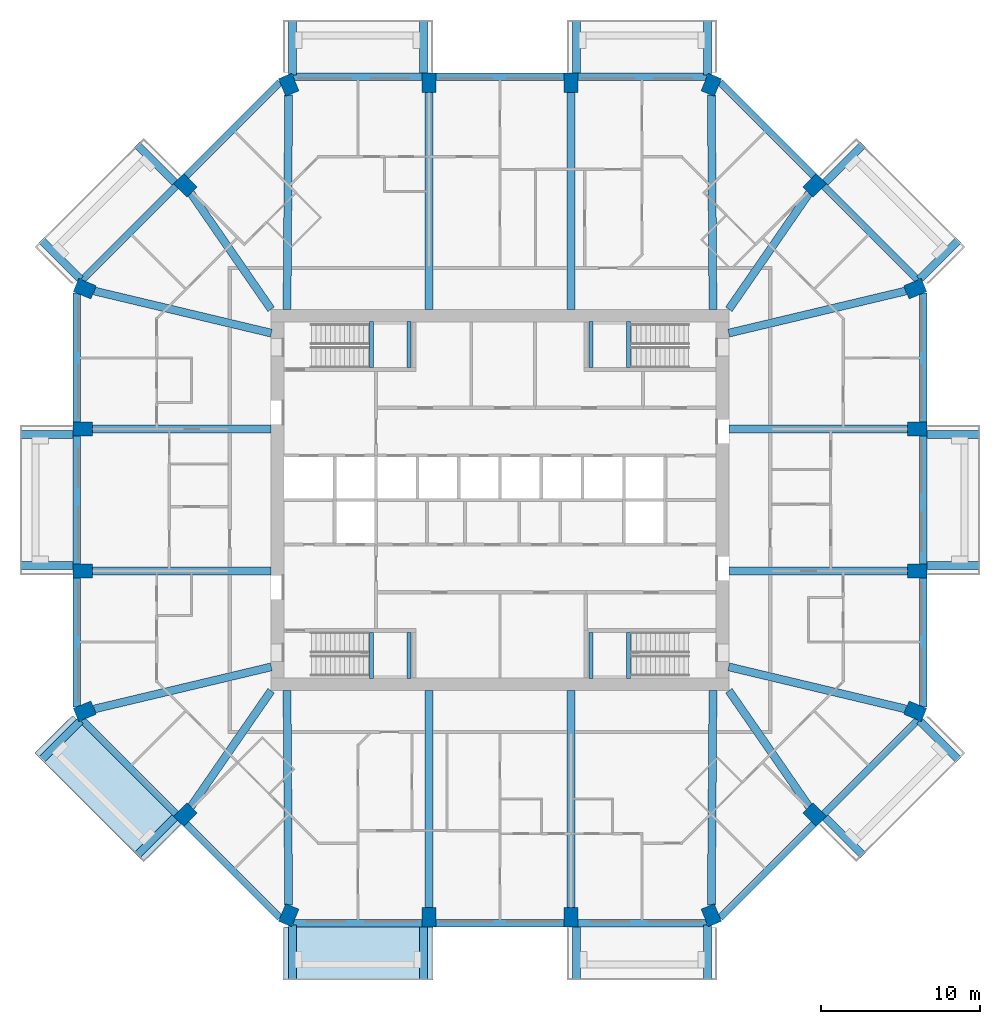
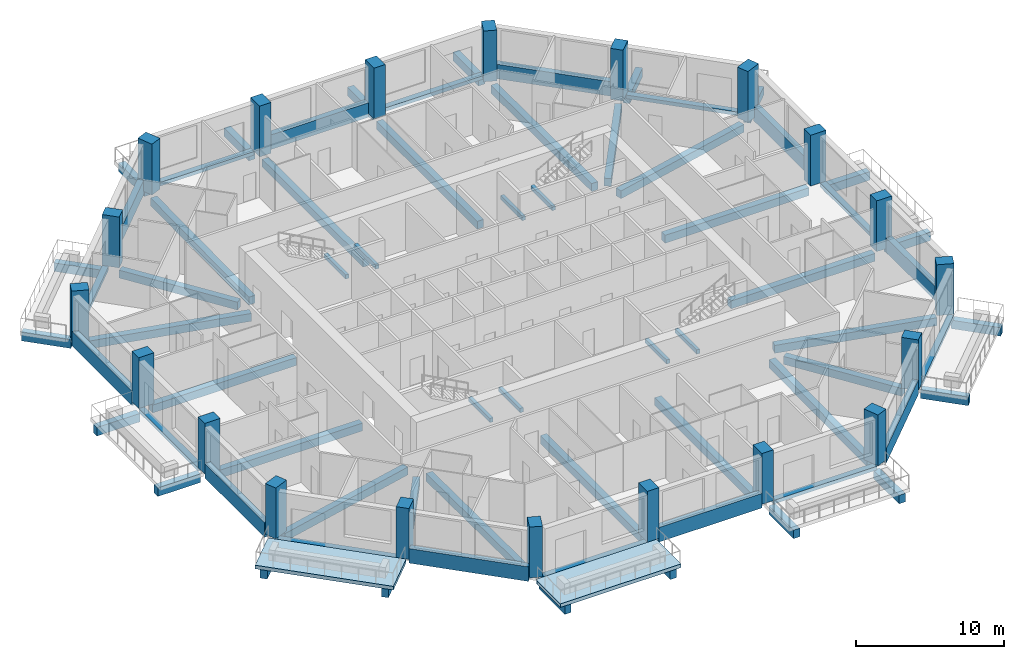
# One storey, part 1 of 13: 68 beams, 20 columns, 2 slabs.
"""IFC4 building model written with IfcOpenShell, lengths in metres."""

from ifc_helpers import new_model, si_unit, direction, frame, origin, origin_2d, place, context, subcontext, project, spatial, polyline, rectangle, outline, extrude, material, layer, layer_set, material_profile, profile_set, type_object, element, save


model = new_model("IFC4")

# Units and contexts
model_context = context("Model", 3, precision=1e-05, world=origin(), true_north=direction((0.0, 1.0)))
body_context = subcontext(model_context, "Body", "Model", "MODEL_VIEW")
ifc_project = project(units=[si_unit("LENGTHUNIT", "METRE"), si_unit("AREAUNIT", "SQUARE_METRE"), si_unit("VOLUMEUNIT", "CUBIC_METRE"), si_unit("PLANEANGLEUNIT", "RADIAN"), si_unit("MASSUNIT", "GRAM", prefix="KILO")], contexts=[model_context])

# Site, building, storey
site_placement = place(None, origin())
site = spatial("IfcSite", under=ifc_project, at=site_placement, CompositionType="ELEMENT")
building_placement = place(site_placement, origin())
building = spatial("IfcBuilding", under=site, at=building_placement, Name="Msitu Wima Residences", CompositionType="ELEMENT")
storey_placement = place(building_placement, frame((0.0, 0.0, 114.89990234375)))
storey = spatial("IfcBuildingStorey", under=building, at=storey_placement, Name="L26", CompositionType="ELEMENT", Elevation=114.89990234375)

# Columns
ifc_material_1 = material(Name="Concrete C70/85", Category="concrete")
ifc_material_profile_1 = material_profile(ifc_material_1, rectangle(XDim=0.89990234375, YDim=1.199951171875, at=origin_2d()), Name="RC 900x1200")
ifc_profile_set_1 = profile_set([ifc_material_profile_1], Name="Concrete C70/85")
column_type = type_object("IfcColumnType", Name="Column RC 900x1200 Concrete C70/85", PredefinedType="COLUMN", material=ifc_profile_set_1)
for number, where, z_axis, x_axis, name in (
    (1, (26.12353515625, -13.291259765625, 0.0), (0.0, 0.0, 1.0), (0.382683496864, 0.923879505795, 0.0), "Column L26 C-E0"),
    (2, (26.25, -4.46875, 0.0), (0.0, 0.0, 1.0), (0.0, 1.0, 0.0), "Column L26 C-E1"),
    (3, (26.25, 4.46875, 0.0), (0.0, 0.0, 1.0), (0.0, 1.0, 0.0), "Column L26 C-E2"),
    (4, (26.12353515625, 13.291259765625, 0.0), (0.0, 0.0, 1.0), (-0.382683496864, 0.923879505795, 0.0), "Column L26 C-NE0"),
    (5, (19.796875, 19.796875, 0.0), (0.0, 0.0, 1.0), (-0.707106781187, 0.707106781187, 0.0), "Column L26 C-NE1"),
    (6, (13.291259765625, 26.12353515625, 0.0), (0.0, 0.0, 1.0), (-0.923879505795, 0.382683496864, 0.0), "Column L26 C-N0"),
    (7, (4.46875, 26.25, 0.0), (0.0, 0.0, 1.0), (-1.0, 0.0, 0.0), "Column L26 C-N1"),
    (8, (-4.46875, 26.25, 0.0), (0.0, 0.0, 1.0), (-1.0, 0.0, 0.0), "Column L26 C-N2"),
    (9, (-13.291259765625, 26.12353515625, 0.0), (0.0, 0.0, 1.0), (-0.923879505795, -0.382683496864, 0.0), "Column L26 C-NW0"),
    (10, (-19.796875, 19.796875, 0.0), (0.0, 0.0, 1.0), (-0.707106781187, -0.707106781187, 0.0), "Column L26 C-NW1"),
    (11, (-26.12353515625, 13.291259765625, 0.0), (0.0, 0.0, 1.0), (-0.382683496864, -0.923879505795, 0.0), "Column L26 C-W0"),
    (12, (-26.25, 4.46875, 0.0), (0.0, 0.0, 1.0), (0.0, -1.0, 0.0), "Column L26 C-W1"),
    (13, (-26.25, -4.46875, 0.0), (0.0, 0.0, 1.0), (0.0, -1.0, 0.0), "Column L26 C-W2"),
    (14, (-26.12353515625, -13.291259765625, 0.0), (0.0, 0.0, 1.0), (0.382683496864, -0.923879505795, 0.0), "Column L26 C-SW0"),
    (15, (-19.796875, -19.796875, 0.0), (0.0, 0.0, 1.0), (0.707106781187, -0.707106781187, 0.0), "Column L26 C-SW1"),
    (16, (-13.291259765625, -26.12353515625, 0.0), (0.0, 0.0, 1.0), (0.923879505795, -0.382683496864, 0.0), "Column L26 C-S0"),
    (17, (-4.46875, -26.25, 0.0), (0.0, 0.0, 1.0), (1.0, 0.0, 0.0), "Column L26 C-S1"),
    (18, (4.46875, -26.25, 0.0), (0.0, 0.0, 1.0), (1.0, 0.0, 0.0), "Column L26 C-S2"),
    (19, (13.291259765625, -26.12353515625, 0.0), (0.0, 0.0, 1.0), (0.923879505795, 0.382683496864, 0.0), "Column L26 C-SE0"),
    (20, (19.796875, -19.796875, 0.0), (0.0, 0.0, 1.0), (0.707106781187, 0.707106781187, 0.0), "Column L26 C-SE1"),
):
    element("IfcColumn", number, at=place(storey_placement, frame(where, z_axis=z_axis, x_axis=x_axis)), inside=storey, type_object=column_type, Name=name, PredefinedType="COLUMN", context=body_context, shape_type="SweptSolid", body=[
        extrude(rectangle(XDim=0.89990234375, YDim=1.199951171875, at=origin_2d()), origin(), (0.0, 0.0, 1.0), 4.2001953125),
    ])

# Beams
ifc_material_2 = material(Name="Concrete C50/60", Category="concrete")
ifc_material_profile_2 = material_profile(ifc_material_2, rectangle(XDim=0.5, YDim=0.64990234375, at=origin_2d()), Name="RC 500x650")
ifc_profile_set_2 = profile_set([ifc_material_profile_2], Name="Concrete C50/60")
beam_type_1 = type_object("IfcBeamType", Name="Beam RC 500x650 Concrete C50/60", PredefinedType="BEAM", material=ifc_profile_set_2)
beam_1_placement = place(storey_placement, frame((25.5322265625, -13.150634765625, -0.574951171875), z_axis=(-0.972805528659, 0.231623408598, 0.0), x_axis=(-0.231623408598, -0.972805528659, 0.0)))
element("IfcBeam", 21, at=beam_1_placement, inside=storey, type_object=beam_type_1, Name="Beam L26 C-E0", PredefinedType="BEAM", context=body_context, shape_type="SweptSolid", body=[
    extrude(rectangle(XDim=0.5, YDim=0.64990234375, at=origin_2d()), origin(), (0.0, 0.0, 1.0), 11.455322265625),
])
for number, where, z_axis, x_axis, name in (
    (22, (25.64990234375, -4.46875, -0.574951171875), (-1.0, 0.0, 0.0), (0.0, -1.0, 0.0), "Beam L26 C-E1"),
    (23, (25.64990234375, 4.46875, -0.574951171875), (-1.0, 0.0, 0.0), (0.0, -1.0, 0.0), "Beam L26 C-E2"),
):
    element("IfcBeam", number, at=place(storey_placement, frame(where, z_axis=z_axis, x_axis=x_axis)), inside=storey, type_object=beam_type_1, Name=name, PredefinedType="BEAM", context=body_context, shape_type="SweptSolid", body=[
        extrude(rectangle(XDim=0.5, YDim=0.64990234375, at=origin_2d()), origin(), (0.0, 0.0, 1.0), 11.25),
    ])
beam_2_placement = place(storey_placement, frame((25.5322265625, 13.150634765625, -0.574951171875), z_axis=(-0.972805528659, -0.231623408598, 0.0), x_axis=(0.231623408598, -0.972805528659, 0.0)))
element("IfcBeam", 24, at=beam_2_placement, inside=storey, type_object=beam_type_1, Name="Beam L26 C-NE0", PredefinedType="BEAM", context=body_context, shape_type="SweptSolid", body=[
    extrude(rectangle(XDim=0.5, YDim=0.64990234375, at=origin_2d()), origin(), (0.0, 0.0, 1.0), 11.455322265625),
])
beam_3_placement = place(storey_placement, frame((19.44970703125, 19.29541015625, -0.574951171875), z_axis=(-0.569144158363, -0.822237755763, 0.0), x_axis=(0.822237755763, -0.569144158363, 0.0)))
element("IfcBeam", 25, at=beam_3_placement, inside=storey, type_object=beam_type_1, Name="Beam L26 C-NE1", PredefinedType="BEAM", context=body_context, shape_type="SweptSolid", body=[
    extrude(rectangle(XDim=0.5, YDim=0.64990234375, at=origin_2d()), origin(), (0.0, 0.0, 1.0), 8.87255859375),
])
beam_4_placement = place(storey_placement, frame((13.29638671875, 25.471923828125, -0.574951171875), z_axis=(0.007694865426, -0.999970394085, 0.0), x_axis=(0.999970394085, 0.007694865426, 0.0)))
element("IfcBeam", 26, at=beam_4_placement, inside=storey, type_object=beam_type_1, Name="Beam L26 C-N0", PredefinedType="BEAM", context=body_context, shape_type="SweptSolid", body=[
    extrude(rectangle(XDim=0.5, YDim=0.64990234375, at=origin_2d()), origin(), (0.0, 0.0, 1.0), 13.484375),
])
for number, where, z_axis, x_axis, name in (
    (27, (4.46875, 25.64990234375, -0.574951171875), (0.0, -1.0, 0.0), (1.0, 0.0, 0.0), "Beam L26 C-N1"),
    (28, (-4.46875, 25.64990234375, -0.574951171875), (0.0, -1.0, 0.0), (1.0, 0.0, 0.0), "Beam L26 C-N2"),
):
    element("IfcBeam", number, at=place(storey_placement, frame(where, z_axis=z_axis, x_axis=x_axis)), inside=storey, type_object=beam_type_1, Name=name, PredefinedType="BEAM", context=body_context, shape_type="SweptSolid", body=[
        extrude(rectangle(XDim=0.5, YDim=0.64990234375, at=origin_2d()), origin(), (0.0, 0.0, 1.0), 13.64990234375),
    ])
beam_5_placement = place(storey_placement, frame((-13.29638671875, 25.471923828125, -0.574951171875), z_axis=(-0.007694865426, -0.999970394085, 0.0), x_axis=(0.999970394085, -0.007694865426, 0.0)))
element("IfcBeam", 29, at=beam_5_placement, inside=storey, type_object=beam_type_1, Name="Beam L26 C-NW0", PredefinedType="BEAM", context=body_context, shape_type="SweptSolid", body=[
    extrude(rectangle(XDim=0.5, YDim=0.64990234375, at=origin_2d()), origin(), (0.0, 0.0, 1.0), 13.484375),
])
beam_6_placement = place(storey_placement, frame((-19.44970703125, 19.29541015625, -0.574951171875), z_axis=(0.569144158363, -0.822237755763, 0.0), x_axis=(0.822237755763, 0.569144158363, 0.0)))
element("IfcBeam", 30, at=beam_6_placement, inside=storey, type_object=beam_type_1, Name="Beam L26 C-NW1", PredefinedType="BEAM", context=body_context, shape_type="SweptSolid", body=[
    extrude(rectangle(XDim=0.5, YDim=0.64990234375, at=origin_2d()), origin(), (0.0, 0.0, 1.0), 8.87255859375),
])
beam_7_placement = place(storey_placement, frame((-25.5322265625, 13.150634765625, -0.574951171875), z_axis=(0.972805528659, -0.231623408598, 0.0), x_axis=(0.231623408598, 0.972805528659, 0.0)))
element("IfcBeam", 31, at=beam_7_placement, inside=storey, type_object=beam_type_1, Name="Beam L26 C-W0", PredefinedType="BEAM", context=body_context, shape_type="SweptSolid", body=[
    extrude(rectangle(XDim=0.5, YDim=0.64990234375, at=origin_2d()), origin(), (0.0, 0.0, 1.0), 11.455322265625),
])
for number, where, z_axis, x_axis, name in (
    (32, (-25.64990234375, 4.46875, -0.574951171875), (1.0, 0.0, 0.0), (0.0, 1.0, 0.0), "Beam L26 C-W1"),
    (33, (-25.64990234375, -4.46875, -0.574951171875), (1.0, 0.0, 0.0), (0.0, 1.0, 0.0), "Beam L26 C-W2"),
):
    element("IfcBeam", number, at=place(storey_placement, frame(where, z_axis=z_axis, x_axis=x_axis)), inside=storey, type_object=beam_type_1, Name=name, PredefinedType="BEAM", context=body_context, shape_type="SweptSolid", body=[
        extrude(rectangle(XDim=0.5, YDim=0.64990234375, at=origin_2d()), origin(), (0.0, 0.0, 1.0), 11.25),
    ])
beam_8_placement = place(storey_placement, frame((-25.5322265625, -13.150634765625, -0.574951171875), z_axis=(0.972805528659, 0.231623408598, 0.0), x_axis=(-0.231623408598, 0.972805528659, 0.0)))
element("IfcBeam", 34, at=beam_8_placement, inside=storey, type_object=beam_type_1, Name="Beam L26 C-SW0", PredefinedType="BEAM", context=body_context, shape_type="SweptSolid", body=[
    extrude(rectangle(XDim=0.5, YDim=0.64990234375, at=origin_2d()), origin(), (0.0, 0.0, 1.0), 11.455322265625),
])
beam_9_placement = place(storey_placement, frame((-19.44970703125, -19.29541015625, -0.574951171875), z_axis=(0.569144158363, 0.822237755763, 0.0), x_axis=(-0.822237755763, 0.569144158363, 0.0)))
element("IfcBeam", 35, at=beam_9_placement, inside=storey, type_object=beam_type_1, Name="Beam L26 C-SW1", PredefinedType="BEAM", context=body_context, shape_type="SweptSolid", body=[
    extrude(rectangle(XDim=0.5, YDim=0.64990234375, at=origin_2d()), origin(), (0.0, 0.0, 1.0), 8.87255859375),
])
beam_10_placement = place(storey_placement, frame((-13.29638671875, -25.471923828125, -0.574951171875), z_axis=(-0.007694865426, 0.999970394085, 0.0), x_axis=(-0.999970394085, -0.007694865426, 0.0)))
element("IfcBeam", 36, at=beam_10_placement, inside=storey, type_object=beam_type_1, Name="Beam L26 C-S0", PredefinedType="BEAM", context=body_context, shape_type="SweptSolid", body=[
    extrude(rectangle(XDim=0.5, YDim=0.64990234375, at=origin_2d()), origin(), (0.0, 0.0, 1.0), 13.484375),
])
for number, where, z_axis, x_axis, name in (
    (37, (-4.46875, -25.64990234375, -0.574951171875), (0.0, 1.0, 0.0), (-1.0, 0.0, 0.0), "Beam L26 C-S1"),
    (38, (4.46875, -25.64990234375, -0.574951171875), (0.0, 1.0, 0.0), (-1.0, 0.0, 0.0), "Beam L26 C-S2"),
):
    element("IfcBeam", number, at=place(storey_placement, frame(where, z_axis=z_axis, x_axis=x_axis)), inside=storey, type_object=beam_type_1, Name=name, PredefinedType="BEAM", context=body_context, shape_type="SweptSolid", body=[
        extrude(rectangle(XDim=0.5, YDim=0.64990234375, at=origin_2d()), origin(), (0.0, 0.0, 1.0), 13.64990234375),
    ])
beam_11_placement = place(storey_placement, frame((13.29638671875, -25.471923828125, -0.574951171875), z_axis=(0.007694865426, 0.999970394085, 0.0), x_axis=(-0.999970394085, 0.007694865426, 0.0)))
element("IfcBeam", 39, at=beam_11_placement, inside=storey, type_object=beam_type_1, Name="Beam L26 C-SE0", PredefinedType="BEAM", context=body_context, shape_type="SweptSolid", body=[
    extrude(rectangle(XDim=0.5, YDim=0.64990234375, at=origin_2d()), origin(), (0.0, 0.0, 1.0), 13.484375),
])
beam_12_placement = place(storey_placement, frame((19.44970703125, -19.29541015625, -0.574951171875), z_axis=(-0.569144158363, 0.822237755763, 0.0), x_axis=(-0.822237755763, -0.569144158363, 0.0)))
element("IfcBeam", 40, at=beam_12_placement, inside=storey, type_object=beam_type_1, Name="Beam L26 C-SE1", PredefinedType="BEAM", context=body_context, shape_type="SweptSolid", body=[
    extrude(rectangle(XDim=0.5, YDim=0.64990234375, at=origin_2d()), origin(), (0.0, 0.0, 1.0), 8.87255859375),
])
ifc_material_profile_3 = material_profile(ifc_material_2, rectangle(XDim=0.5, YDim=0.699951171875, at=origin_2d()), Name="RC 500x700")
ifc_profile_set_3 = profile_set([ifc_material_profile_3], Name="Concrete C50/60")
beam_type_2 = type_object("IfcBeamType", Name="Cantilever beam RC 500x700 Concrete C50/60", PredefinedType="BEAM", material=ifc_profile_set_3)
for number, where, z_axis, x_axis, name in (
    (41, (26.85009765625, -4.11865234375, -0.64990234375), (1.0, 0.0, 0.0), (0.0, 1.0, 0.0), "Cantilever beam L26 BA-E1 A"),
    (42, (26.85009765625, 4.11865234375, -0.64990234375), (1.0, 0.0, 0.0), (0.0, 1.0, 0.0), "Cantilever beam L26 BA-E1 B"),
):
    element("IfcBeam", number, at=place(storey_placement, frame(where, z_axis=z_axis, x_axis=x_axis)), inside=storey, type_object=beam_type_2, Name=name, PredefinedType="BEAM", context=body_context, shape_type="SweptSolid", body=[
        extrude(rectangle(XDim=0.5, YDim=0.699951171875, at=origin_2d()), origin(), (0.0, 0.0, 1.0), 3.349853515625),
    ])
beam_13_placement = place(storey_placement, frame((26.386474609375, 13.887451171875, -0.64990234375), z_axis=(0.707141968506, 0.707071592116, 0.0), x_axis=(-0.707071592116, 0.707141968506, 0.0)))
element("IfcBeam", 43, at=beam_13_placement, inside=storey, type_object=beam_type_2, Name="Cantilever beam L26 BA-NE0 A", PredefinedType="BEAM", context=body_context, shape_type="SweptSolid", body=[
    extrude(rectangle(XDim=0.5, YDim=0.699951171875, at=origin_2d()), origin(), (0.0, 0.0, 1.0), 3.468994140625),
])
beam_14_placement = place(storey_placement, frame((20.46875, 19.9736328125, -0.64990234375), z_axis=(0.707070340836, 0.707143219659, 0.0), x_axis=(-0.707143219659, 0.707070340836, 0.0)))
element("IfcBeam", 44, at=beam_14_placement, inside=storey, type_object=beam_type_2, Name="Cantilever beam L26 BA-NE0 B", PredefinedType="BEAM", context=body_context, shape_type="SweptSolid", body=[
    extrude(rectangle(XDim=0.5, YDim=0.699951171875, at=origin_2d()), origin(), (0.0, 0.0, 1.0), 3.349853515625),
])
beam_15_placement = place(storey_placement, frame((13.055908203125, 26.73095703125, -0.64990234375), z_axis=(0.0, 1.0, 0.0), x_axis=(-1.0, 0.0, 0.0)))
element("IfcBeam", 45, at=beam_15_placement, inside=storey, type_object=beam_type_2, Name="Cantilever beam L26 BA-N0 A", PredefinedType="BEAM", context=body_context, shape_type="SweptSolid", body=[
    extrude(rectangle(XDim=0.5, YDim=0.699951171875, at=origin_2d()), origin(), (0.0, 0.0, 1.0), 3.468994140625),
])
for number, where, z_axis, x_axis, name in (
    (46, (4.818603515625, 26.85009765625, -0.64990234375), (0.0, 1.0, 0.0), (-1.0, 0.0, 0.0), "Cantilever beam L26 BA-N0 B"),
    (47, (-4.818603515625, 26.85009765625, -0.64990234375), (0.0, 1.0, 0.0), (-1.0, 0.0, 0.0), "Cantilever beam L26 BA-N2 A"),
):
    element("IfcBeam", number, at=place(storey_placement, frame(where, z_axis=z_axis, x_axis=x_axis)), inside=storey, type_object=beam_type_2, Name=name, PredefinedType="BEAM", context=body_context, shape_type="SweptSolid", body=[
        extrude(rectangle(XDim=0.5, YDim=0.699951171875, at=origin_2d()), origin(), (0.0, 0.0, 1.0), 3.349853515625),
    ])
beam_16_placement = place(storey_placement, frame((-13.055908203125, 26.73095703125, -0.64990234375), z_axis=(0.0, 1.0, 0.0), x_axis=(-1.0, 0.0, 0.0)))
element("IfcBeam", 48, at=beam_16_placement, inside=storey, type_object=beam_type_2, Name="Cantilever beam L26 BA-N2 B", PredefinedType="BEAM", context=body_context, shape_type="SweptSolid", body=[
    extrude(rectangle(XDim=0.5, YDim=0.699951171875, at=origin_2d()), origin(), (0.0, 0.0, 1.0), 3.468994140625),
])
beam_17_placement = place(storey_placement, frame((-20.46875, 19.9736328125, -0.64990234375), z_axis=(-0.707070340836, 0.707143219659, 0.0), x_axis=(-0.707143219659, -0.707070340836, 0.0)))
element("IfcBeam", 49, at=beam_17_placement, inside=storey, type_object=beam_type_2, Name="Cantilever beam L26 BA-NW1 A", PredefinedType="BEAM", context=body_context, shape_type="SweptSolid", body=[
    extrude(rectangle(XDim=0.5, YDim=0.699951171875, at=origin_2d()), origin(), (0.0, 0.0, 1.0), 3.349853515625),
])
beam_18_placement = place(storey_placement, frame((-26.386474609375, 13.887451171875, -0.64990234375), z_axis=(-0.707141968506, 0.707071592116, 0.0), x_axis=(-0.707071592116, -0.707141968506, 0.0)))
element("IfcBeam", 50, at=beam_18_placement, inside=storey, type_object=beam_type_2, Name="Cantilever beam L26 BA-NW1 B", PredefinedType="BEAM", context=body_context, shape_type="SweptSolid", body=[
    extrude(rectangle(XDim=0.5, YDim=0.699951171875, at=origin_2d()), origin(), (0.0, 0.0, 1.0), 3.468994140625),
])
for number, where, z_axis, x_axis, name in (
    (51, (-26.85009765625, 4.11865234375, -0.64990234375), (-1.0, 0.0, 0.0), (0.0, -1.0, 0.0), "Cantilever beam L26 BA-W1 A"),
    (52, (-26.85009765625, -4.11865234375, -0.64990234375), (-1.0, 0.0, 0.0), (0.0, -1.0, 0.0), "Cantilever beam L26 BA-W1 B"),
):
    element("IfcBeam", number, at=place(storey_placement, frame(where, z_axis=z_axis, x_axis=x_axis)), inside=storey, type_object=beam_type_2, Name=name, PredefinedType="BEAM", context=body_context, shape_type="SweptSolid", body=[
        extrude(rectangle(XDim=0.5, YDim=0.699951171875, at=origin_2d()), origin(), (0.0, 0.0, 1.0), 3.349853515625),
    ])
beam_19_placement = place(storey_placement, frame((-26.386474609375, -13.887451171875, -0.64990234375), z_axis=(-0.707141968506, -0.707071592116, 0.0), x_axis=(0.707071592116, -0.707141968506, 0.0)))
element("IfcBeam", 53, at=beam_19_placement, inside=storey, type_object=beam_type_2, Name="Cantilever beam L26 BA-SW0 A", PredefinedType="BEAM", context=body_context, shape_type="SweptSolid", body=[
    extrude(rectangle(XDim=0.5, YDim=0.699951171875, at=origin_2d()), origin(), (0.0, 0.0, 1.0), 3.468994140625),
])
beam_20_placement = place(storey_placement, frame((-20.46875, -19.9736328125, -0.64990234375), z_axis=(-0.707070340836, -0.707143219659, 0.0), x_axis=(0.707143219659, -0.707070340836, 0.0)))
element("IfcBeam", 54, at=beam_20_placement, inside=storey, type_object=beam_type_2, Name="Cantilever beam L26 BA-SW0 B", PredefinedType="BEAM", context=body_context, shape_type="SweptSolid", body=[
    extrude(rectangle(XDim=0.5, YDim=0.699951171875, at=origin_2d()), origin(), (0.0, 0.0, 1.0), 3.349853515625),
])
beam_21_placement = place(storey_placement, frame((-13.055908203125, -26.73095703125, -0.64990234375), z_axis=(0.0, -1.0, 0.0), x_axis=(1.0, 0.0, 0.0)))
element("IfcBeam", 55, at=beam_21_placement, inside=storey, type_object=beam_type_2, Name="Cantilever beam L26 BA-S0 A", PredefinedType="BEAM", context=body_context, shape_type="SweptSolid", body=[
    extrude(rectangle(XDim=0.5, YDim=0.699951171875, at=origin_2d()), origin(), (0.0, 0.0, 1.0), 3.468994140625),
])
for number, where, z_axis, x_axis, name in (
    (56, (-4.818603515625, -26.85009765625, -0.64990234375), (0.0, -1.0, 0.0), (1.0, 0.0, 0.0), "Cantilever beam L26 BA-S0 B"),
    (57, (4.818603515625, -26.85009765625, -0.64990234375), (0.0, -1.0, 0.0), (1.0, 0.0, 0.0), "Cantilever beam L26 BA-S2 A"),
):
    element("IfcBeam", number, at=place(storey_placement, frame(where, z_axis=z_axis, x_axis=x_axis)), inside=storey, type_object=beam_type_2, Name=name, PredefinedType="BEAM", context=body_context, shape_type="SweptSolid", body=[
        extrude(rectangle(XDim=0.5, YDim=0.699951171875, at=origin_2d()), origin(), (0.0, 0.0, 1.0), 3.349853515625),
    ])
beam_22_placement = place(storey_placement, frame((13.055908203125, -26.73095703125, -0.64990234375), z_axis=(0.0, -1.0, 0.0), x_axis=(1.0, 0.0, 0.0)))
element("IfcBeam", 58, at=beam_22_placement, inside=storey, type_object=beam_type_2, Name="Cantilever beam L26 BA-S2 B", PredefinedType="BEAM", context=body_context, shape_type="SweptSolid", body=[
    extrude(rectangle(XDim=0.5, YDim=0.699951171875, at=origin_2d()), origin(), (0.0, 0.0, 1.0), 3.468994140625),
])
beam_23_placement = place(storey_placement, frame((20.46875, -19.9736328125, -0.64990234375), z_axis=(0.707070340836, -0.707143219659, 0.0), x_axis=(0.707143219659, 0.707070340836, 0.0)))
element("IfcBeam", 59, at=beam_23_placement, inside=storey, type_object=beam_type_2, Name="Cantilever beam L26 BA-SE1 A", PredefinedType="BEAM", context=body_context, shape_type="SweptSolid", body=[
    extrude(rectangle(XDim=0.5, YDim=0.699951171875, at=origin_2d()), origin(), (0.0, 0.0, 1.0), 3.349853515625),
])
beam_24_placement = place(storey_placement, frame((26.386474609375, -13.887451171875, -0.64990234375), z_axis=(0.707141968506, -0.707071592116, 0.0), x_axis=(0.707071592116, 0.707141968506, 0.0)))
element("IfcBeam", 60, at=beam_24_placement, inside=storey, type_object=beam_type_2, Name="Cantilever beam L26 BA-SE1 B", PredefinedType="BEAM", context=body_context, shape_type="SweptSolid", body=[
    extrude(rectangle(XDim=0.5, YDim=0.699951171875, at=origin_2d()), origin(), (0.0, 0.0, 1.0), 3.468994140625),
])
ifc_material_profile_4 = material_profile(ifc_material_2, rectangle(XDim=0.449951171875, YDim=0.300048828125, at=origin_2d()), Name="RC 450x300")
ifc_profile_set_4 = profile_set([ifc_material_profile_4], Name="Concrete C50/60")
beam_type_3 = type_object("IfcBeamType", Name="Edge beam RC 450x300 Concrete C50/60", PredefinedType="SPANDREL", material=ifc_profile_set_4)
beam_25_placement = place(storey_placement, frame((26.625, -4.0185546875, -0.14990234375), z_axis=(0.0, 1.0, 0.0), x_axis=(-1.0, 0.0, 0.0)))
element("IfcBeam", 61, at=beam_25_placement, inside=storey, type_object=beam_type_3, Name="Spandrel L26 E1", PredefinedType="SPANDREL", context=body_context, shape_type="SweptSolid", body=[
    extrude(rectangle(XDim=0.449951171875, YDim=0.300048828125, at=origin_2d()), origin(), (0.0, 0.0, 1.0), 8.037109375),
])
beam_26_placement = place(storey_placement, frame((26.2890625, 13.8349609375, -0.14990234375), z_axis=(-0.707106781187, 0.707106781187, 0.0), x_axis=(-0.707106781187, -0.707106781187, 0.0)))
element("IfcBeam", 62, at=beam_26_placement, inside=storey, type_object=beam_type_3, Name="Spandrel L26 NE0", PredefinedType="SPANDREL", context=body_context, shape_type="SweptSolid", body=[
    extrude(rectangle(XDim=0.449951171875, YDim=0.300048828125, at=origin_2d()), origin(), (0.0, 0.0, 1.0), 8.3564453125),
])
for number, where, z_axis, x_axis, name in (
    (63, (13.02392578125, 26.625, -0.14990234375), (-1.0, 0.0, 0.0), (0.0, -1.0, 0.0), "Spandrel L26 N0"),
    (64, (-4.918701171875, 26.625, -0.14990234375), (-1.0, 0.0, 0.0), (0.0, -1.0, 0.0), "Spandrel L26 N2"),
):
    element("IfcBeam", number, at=place(storey_placement, frame(where, z_axis=z_axis, x_axis=x_axis)), inside=storey, type_object=beam_type_3, Name=name, PredefinedType="SPANDREL", context=body_context, shape_type="SweptSolid", body=[
        extrude(rectangle(XDim=0.449951171875, YDim=0.300048828125, at=origin_2d()), origin(), (0.0, 0.0, 1.0), 8.105224609375),
    ])
beam_27_placement = place(storey_placement, frame((-20.380126953125, 19.743896484375, -0.14990234375), z_axis=(-0.707106781187, -0.707106781187, 0.0), x_axis=(0.707106781187, -0.707106781187, 0.0)))
element("IfcBeam", 65, at=beam_27_placement, inside=storey, type_object=beam_type_3, Name="Spandrel L26 NW1", PredefinedType="SPANDREL", context=body_context, shape_type="SweptSolid", body=[
    extrude(rectangle(XDim=0.449951171875, YDim=0.300048828125, at=origin_2d()), origin(), (0.0, 0.0, 1.0), 8.3564453125),
])
beam_28_placement = place(storey_placement, frame((-26.625, 4.0185546875, -0.14990234375), z_axis=(0.0, -1.0, 0.0), x_axis=(1.0, 0.0, 0.0)))
element("IfcBeam", 66, at=beam_28_placement, inside=storey, type_object=beam_type_3, Name="Spandrel L26 W1", PredefinedType="SPANDREL", context=body_context, shape_type="SweptSolid", body=[
    extrude(rectangle(XDim=0.449951171875, YDim=0.300048828125, at=origin_2d()), origin(), (0.0, 0.0, 1.0), 8.037109375),
])
beam_29_placement = place(storey_placement, frame((-26.2890625, -13.8349609375, -0.14990234375), z_axis=(0.707106781187, -0.707106781187, 0.0), x_axis=(0.707106781187, 0.707106781187, 0.0)))
element("IfcBeam", 67, at=beam_29_placement, inside=storey, type_object=beam_type_3, Name="Spandrel L26 SW0", PredefinedType="SPANDREL", context=body_context, shape_type="SweptSolid", body=[
    extrude(rectangle(XDim=0.449951171875, YDim=0.300048828125, at=origin_2d()), origin(), (0.0, 0.0, 1.0), 8.3564453125),
])
for number, where, z_axis, x_axis, name in (
    (68, (-13.02392578125, -26.625, -0.14990234375), (1.0, 0.0, 0.0), (0.0, 1.0, 0.0), "Spandrel L26 S0"),
    (69, (4.918701171875, -26.625, -0.14990234375), (1.0, 0.0, 0.0), (0.0, 1.0, 0.0), "Spandrel L26 S2"),
):
    element("IfcBeam", number, at=place(storey_placement, frame(where, z_axis=z_axis, x_axis=x_axis)), inside=storey, type_object=beam_type_3, Name=name, PredefinedType="SPANDREL", context=body_context, shape_type="SweptSolid", body=[
        extrude(rectangle(XDim=0.449951171875, YDim=0.300048828125, at=origin_2d()), origin(), (0.0, 0.0, 1.0), 8.105224609375),
    ])
beam_30_placement = place(storey_placement, frame((20.380126953125, -19.743896484375, -0.14990234375), z_axis=(0.707106781187, 0.707106781187, 0.0), x_axis=(-0.707106781187, 0.707106781187, 0.0)))
element("IfcBeam", 70, at=beam_30_placement, inside=storey, type_object=beam_type_3, Name="Spandrel L26 SE1", PredefinedType="SPANDREL", context=body_context, shape_type="SweptSolid", body=[
    extrude(rectangle(XDim=0.449951171875, YDim=0.300048828125, at=origin_2d()), origin(), (0.0, 0.0, 1.0), 8.3564453125),
])
ifc_material_3 = material(Name="Concrete C40/50", Category="concrete")
ifc_material_profile_5 = material_profile(ifc_material_3, rectangle(XDim=0.25, YDim=0.35009765625, at=origin_2d()), Name="RC 250x350")
ifc_profile_set_5 = profile_set([ifc_material_profile_5], Name="Concrete C40/50")
beam_type_4 = type_object("IfcBeamType", Name="Landing beam RC 250x350", PredefinedType="BEAM", material=ifc_profile_set_5)
for number, where, z_axis, x_axis, name in (
    (71, (-8.074951171875, 8.324951171875, 1.72509765625), (0.0, 1.0, 0.0), (-1.0, 0.0, 0.0), "Stair 1 landing beam"),
    (72, (-5.72509765625, 8.324951171875, 1.72509765625), (0.0, 1.0, 0.0), (-1.0, 0.0, 0.0), "Stair 1 landing beam"),
    (73, (-8.074951171875, -11.22509765625, 1.72509765625), (0.0, 1.0, 0.0), (-1.0, 0.0, 0.0), "Stair 2 landing beam"),
    (74, (-5.72509765625, -11.22509765625, 1.72509765625), (0.0, 1.0, 0.0), (-1.0, 0.0, 0.0), "Stair 2 landing beam"),
    (75, (8.074951171875, 8.324951171875, 1.72509765625), (0.0, 1.0, 0.0), (-1.0, 0.0, 0.0), "Stair 3 landing beam"),
    (76, (5.72509765625, 8.324951171875, 1.72509765625), (0.0, 1.0, 0.0), (-1.0, 0.0, 0.0), "Stair 3 landing beam"),
    (77, (8.074951171875, -11.22509765625, 1.72509765625), (0.0, 1.0, 0.0), (-1.0, 0.0, 0.0), "Stair 4 landing beam"),
    (78, (5.72509765625, -11.22509765625, 1.72509765625), (0.0, 1.0, 0.0), (-1.0, 0.0, 0.0), "Stair 4 landing beam"),
):
    element("IfcBeam", number, at=place(storey_placement, frame(where, z_axis=z_axis, x_axis=x_axis)), inside=storey, type_object=beam_type_4, Name=name, PredefinedType="BEAM", context=body_context, shape_type="SweptSolid", body=[
        extrude(rectangle(XDim=0.25, YDim=0.35009765625, at=origin_2d()), origin(), (0.0, 0.0, 1.0), 2.900146484375),
    ])
ifc_material_profile_6 = material_profile(ifc_material_2, rectangle(XDim=0.449951171875, YDim=1.199951171875, at=origin_2d()), Name="RC 450x1200")
ifc_profile_set_6 = profile_set([ifc_material_profile_6], Name="Concrete C50/60")
beam_type_5 = type_object("IfcBeamType", Name="Spandrel RC 450x1200 Concrete C50/60", PredefinedType="SPANDREL", material=ifc_profile_set_6)
for number, where, z_axis, x_axis, name in (
    (79, (26.625, -13.02392578125, 0.300048828125), (0.0, 1.0, 0.0), (-1.0, 0.0, 0.0), "Spandrel L26 E0"),
    (80, (26.625, 4.918701171875, 0.300048828125), (0.0, 1.0, 0.0), (-1.0, 0.0, 0.0), "Spandrel L26 E2"),
):
    element("IfcBeam", number, at=place(storey_placement, frame(where, z_axis=z_axis, x_axis=x_axis)), inside=storey, type_object=beam_type_5, Name=name, PredefinedType="SPANDREL", context=body_context, shape_type="SweptSolid", body=[
        extrude(rectangle(XDim=0.449951171875, YDim=1.199951171875, at=origin_2d()), origin(), (0.0, 0.0, 1.0), 8.105224609375),
    ])
beam_31_placement = place(storey_placement, frame((19.743896484375, 20.380126953125, 0.300048828125), z_axis=(-0.707106781187, 0.707106781187, 0.0), x_axis=(-0.707106781187, -0.707106781187, 0.0)))
element("IfcBeam", 81, at=beam_31_placement, inside=storey, type_object=beam_type_5, Name="Spandrel L26 NE1", PredefinedType="SPANDREL", context=body_context, shape_type="SweptSolid", body=[
    extrude(rectangle(XDim=0.449951171875, YDim=1.199951171875, at=origin_2d()), origin(), (0.0, 0.0, 1.0), 8.3564453125),
])
beam_32_placement = place(storey_placement, frame((4.0185546875, 26.625, 0.300048828125), z_axis=(-1.0, 0.0, 0.0), x_axis=(0.0, -1.0, 0.0)))
element("IfcBeam", 82, at=beam_32_placement, inside=storey, type_object=beam_type_5, Name="Spandrel L26 N1", PredefinedType="SPANDREL", context=body_context, shape_type="SweptSolid", body=[
    extrude(rectangle(XDim=0.449951171875, YDim=1.199951171875, at=origin_2d()), origin(), (0.0, 0.0, 1.0), 8.037109375),
])
beam_33_placement = place(storey_placement, frame((-13.8349609375, 26.2890625, 0.300048828125), z_axis=(-0.707106781187, -0.707106781187, 0.0), x_axis=(0.707106781187, -0.707106781187, 0.0)))
element("IfcBeam", 83, at=beam_33_placement, inside=storey, type_object=beam_type_5, Name="Spandrel L26 NW0", PredefinedType="SPANDREL", context=body_context, shape_type="SweptSolid", body=[
    extrude(rectangle(XDim=0.449951171875, YDim=1.199951171875, at=origin_2d()), origin(), (0.0, 0.0, 1.0), 8.3564453125),
])
for number, where, z_axis, x_axis, name in (
    (84, (-26.625, 13.02392578125, 0.300048828125), (0.0, -1.0, 0.0), (1.0, 0.0, 0.0), "Spandrel L26 W0"),
    (85, (-26.625, -4.918701171875, 0.300048828125), (0.0, -1.0, 0.0), (1.0, 0.0, 0.0), "Spandrel L26 W2"),
):
    element("IfcBeam", number, at=place(storey_placement, frame(where, z_axis=z_axis, x_axis=x_axis)), inside=storey, type_object=beam_type_5, Name=name, PredefinedType="SPANDREL", context=body_context, shape_type="SweptSolid", body=[
        extrude(rectangle(XDim=0.449951171875, YDim=1.199951171875, at=origin_2d()), origin(), (0.0, 0.0, 1.0), 8.105224609375),
    ])
beam_34_placement = place(storey_placement, frame((-19.743896484375, -20.380126953125, 0.300048828125), z_axis=(0.707106781187, -0.707106781187, 0.0), x_axis=(0.707106781187, 0.707106781187, 0.0)))
element("IfcBeam", 86, at=beam_34_placement, inside=storey, type_object=beam_type_5, Name="Spandrel L26 SW1", PredefinedType="SPANDREL", context=body_context, shape_type="SweptSolid", body=[
    extrude(rectangle(XDim=0.449951171875, YDim=1.199951171875, at=origin_2d()), origin(), (0.0, 0.0, 1.0), 8.3564453125),
])
beam_35_placement = place(storey_placement, frame((-4.0185546875, -26.625, 0.300048828125), z_axis=(1.0, 0.0, 0.0), x_axis=(0.0, 1.0, 0.0)))
element("IfcBeam", 87, at=beam_35_placement, inside=storey, type_object=beam_type_5, Name="Spandrel L26 S1", PredefinedType="SPANDREL", context=body_context, shape_type="SweptSolid", body=[
    extrude(rectangle(XDim=0.449951171875, YDim=1.199951171875, at=origin_2d()), origin(), (0.0, 0.0, 1.0), 8.037109375),
])
beam_36_placement = place(storey_placement, frame((13.8349609375, -26.2890625, 0.300048828125), z_axis=(0.707106781187, 0.707106781187, 0.0), x_axis=(-0.707106781187, 0.707106781187, 0.0)))
element("IfcBeam", 88, at=beam_36_placement, inside=storey, type_object=beam_type_5, Name="Spandrel L26 SE0", PredefinedType="SPANDREL", context=body_context, shape_type="SweptSolid", body=[
    extrude(rectangle(XDim=0.449951171875, YDim=1.199951171875, at=origin_2d()), origin(), (0.0, 0.0, 1.0), 8.3564453125),
])

# Slabs
ifc_layer = layer(ifc_material_3, 0.300048828125)
ifc_layer_set = layer_set([ifc_layer], Name="Concrete C40/50")
slab_type = type_object("IfcSlabType", Name="Balcony slab BS300", PredefinedType="FLOOR", material=ifc_layer_set)
slab_1_placement = place(storey_placement, frame((0.0, 0.0, -0.2998046875)))
element("IfcSlab", 89, at=slab_1_placement, inside=storey, type_object=slab_type, Name="Balcony SW0 L26", PredefinedType="FLOOR", context=body_context, shape_type="SweptSolid", body=[
    extrude(outline(polyline([(-22.4130859375, -22.766845703125), (-29.263671875, -15.916015625), (-27.003662109375, -13.656005859375), (-26.85009765625, -13.59228515625), (-20.04443359375, -20.39794921875), (-22.4130859375, -22.766845703125)])), origin(), (0.0, 0.0, 1.0), 0.2998046875),
])
slab_2_placement = place(storey_placement, frame((0.0, 0.0, -0.2998046875)))
element("IfcSlab", 90, at=slab_2_placement, inside=storey, type_object=slab_type, Name="Balcony S0 L26", PredefinedType="FLOOR", context=body_context, shape_type="SweptSolid", body=[
    extrude(outline(polyline([(-13.105224609375, -26.85009765625), (-13.105224609375, -26.85009765625), (-4.918701171875, -26.85009765625), (-4.918701171875, -26.85009765625), (-4.21875, -26.85009765625), (-4.21875, -30.199951171875), (-13.656005859375, -30.199951171875), (-13.656005859375, -27.003662109375), (-13.59228515625, -26.85009765625), (-13.105224609375, -26.85009765625), (-13.105224609375, -26.85009765625)])), origin(), (0.0, 0.0, 1.0), 0.2998046875),
])

save(model, "model.ifc")
